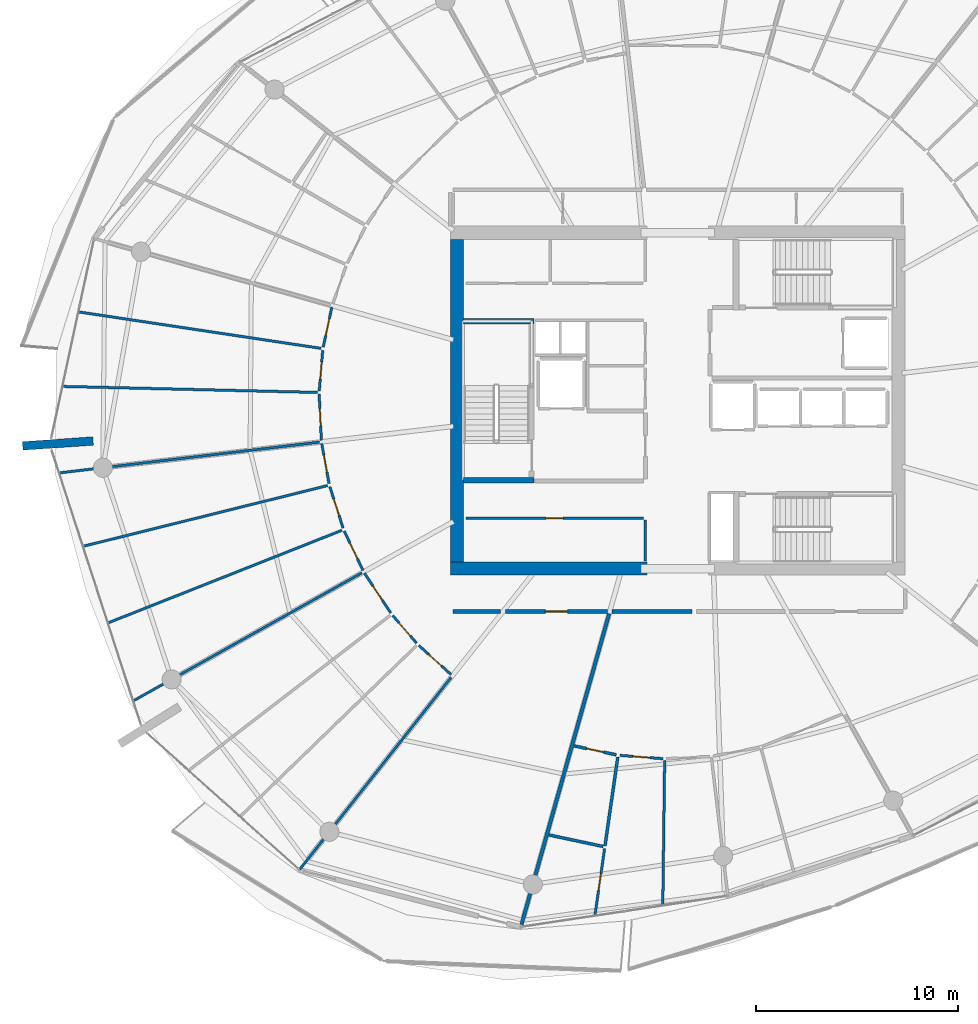
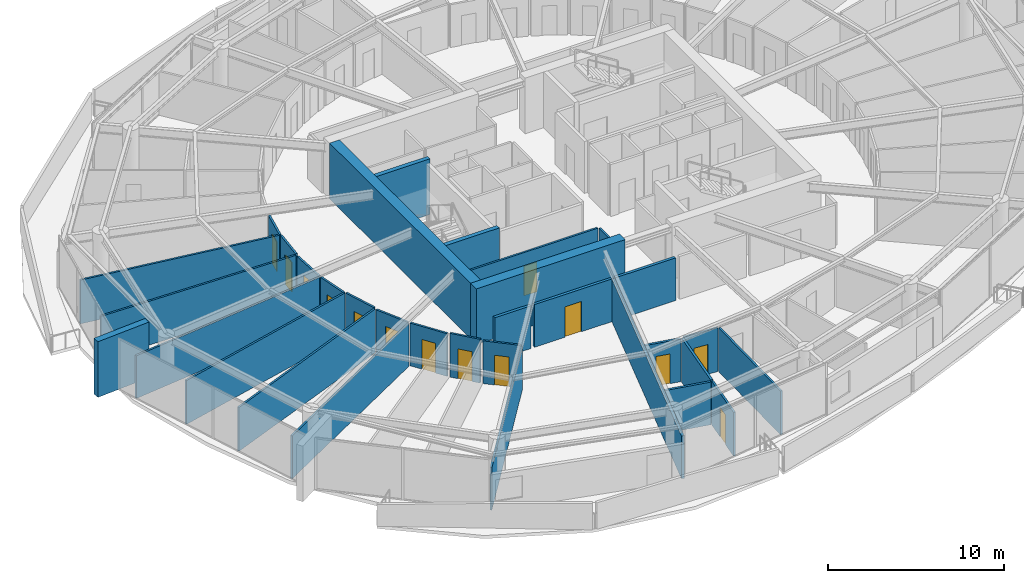
# One storey, part 19 of 31: 33 walls, 14 doors, 14 openings.
"""IFC4 building model written with IfcOpenShell, lengths in metres."""

from ifc_helpers import new_model, si_unit, direction, frame, frame_2d, origin, place, context, subcontext, project, spatial, rectangle, extrude, material, layer, layer_set, type_object, element, fill, save


model = new_model("IFC4")

# Units and contexts
model_context = context("Model", 3, precision=1e-05, world=origin(), true_north=direction((0.0, 1.0)))
body_context = subcontext(model_context, "Body", "Model", "MODEL_VIEW")
ifc_project = project(units=[si_unit("LENGTHUNIT", "METRE"), si_unit("AREAUNIT", "SQUARE_METRE"), si_unit("VOLUMEUNIT", "CUBIC_METRE"), si_unit("PLANEANGLEUNIT", "RADIAN"), si_unit("MASSUNIT", "GRAM", prefix="KILO")], contexts=[model_context])

# Site, building, storey
site_placement = place(None, origin())
site = spatial("IfcSite", under=ifc_project, at=site_placement, CompositionType="ELEMENT")
building_placement = place(site_placement, origin())
building = spatial("IfcBuilding", under=site, at=building_placement, Name="Kazma Halo Residences", CompositionType="ELEMENT")
storey_placement = place(building_placement, frame((0.0, 0.0, 271.35009765625)))
storey = spatial("IfcBuildingStorey", under=building, at=storey_placement, Name="L68", CompositionType="ELEMENT", Elevation=271.35009765625)

# Walls
ifc_material_1 = material(Name="Pale Concrete C60/75", Category="concrete")
ifc_layer_1 = layer(ifc_material_1, 0.419921875)
ifc_layer_set_1 = layer_set([ifc_layer_1], Name="Pale Concrete C60/75")
wall_type_1 = type_object("IfcWallType", Name="WL-BLADE-420", PredefinedType="SOLIDWALL", material=ifc_layer_set_1)
wall_1_placement = place(storey_placement, frame((19.4375, 40.002685546875, 0.0), z_axis=(0.0, 0.0, 1.0), x_axis=(-0.997563824095, -0.069759707979, 0.0)))
element("IfcWall", 1, at=wall_1_placement, inside=storey, type_object=wall_type_1, Name="L68 pale concrete structural blade fin wall BW-02", PredefinedType="SOLIDWALL", context=body_context, shape_type="SweptSolid", body=[
    extrude(rectangle(XDim=3.499755859375, YDim=0.419921875, at=frame_2d((1.75, 0.0))), origin(), (0.0, 0.0, 1.0), 3.849853515625),
])
ifc_material_2 = material(Name="Concrete C60/75", Category="concrete")
ifc_layer_2 = layer(ifc_material_2, 0.64990234375)
ifc_layer_set_2 = layer_set([ifc_layer_2], Name="Concrete C60/75")
wall_type_2 = type_object("IfcWallType", Name="WL-CORE-650", PredefinedType="SHEAR", material=ifc_layer_set_2)
wall_2_placement = place(storey_placement, frame((37.14990234375, 33.675048828125, 0.0), z_axis=(0.0, 0.0, 1.0), x_axis=(1.0, 0.0, 0.0)))
element("IfcWall", 2, at=wall_2_placement, inside=storey, type_object=wall_type_2, Name="L68 central core shear wall SW", PredefinedType="SHEAR", context=body_context, shape_type="SweptSolid", body=[
    extrude(rectangle(XDim=9.75, YDim=0.64990234375, at=frame_2d((4.875, 0.0))), origin(), (0.0, 0.0, 1.0), 3.849853515625),
])
wall_3_placement = place(storey_placement, frame((37.47509765625, 34.0, 0.0), z_axis=(0.0, 0.0, 1.0), x_axis=(0.0, 1.0, 0.0)))
element("IfcWall", 3, at=wall_3_placement, inside=storey, type_object=wall_type_2, Name="L68 central core shear wall W", PredefinedType="SHEAR", context=body_context, shape_type="SweptSolid", body=[
    extrude(rectangle(XDim=16.0, YDim=0.64990234375, at=frame_2d((8.0, 0.0))), origin(), (0.0, 0.0, 1.0), 3.849853515625),
])
ifc_layer_3 = layer(ifc_material_2, 0.280029296875)
ifc_layer_set_3 = layer_set([ifc_layer_3], Name="Concrete C60/75")
wall_type_3 = type_object("IfcWallType", Name="WL-CORE-ST-280", PredefinedType="SHEAR", material=ifc_layer_set_3)
for number, where, z_axis, x_axis, name in (
    (4, (37.800048828125, 38.06005859375, 0.0), (0.0, 0.0, 1.0), (1.0, 0.0, 0.0), "L68 stairwell bearing wall ST01-S"),
    (5, (37.800048828125, 45.93994140625, 0.0), (0.0, 0.0, 1.0), (1.0, 0.0, 0.0), "L68 stairwell bearing wall ST01-N"),
):
    element("IfcWall", number, at=place(storey_placement, frame(where, z_axis=z_axis, x_axis=x_axis)), inside=storey, type_object=wall_type_3, Name=name, PredefinedType="SHEAR", context=body_context, shape_type="SweptSolid", body=[
        extrude(rectangle(XDim=3.5, YDim=0.280029296875, at=frame_2d((1.75, 0.0))), origin(), (0.0, 0.0, 1.0), 3.849853515625),
    ])
ifc_material_3 = material(Name="Acoustic Twin-Stud Gypsum")
ifc_layer_4 = layer(ifc_material_3, 0.179931640625)
ifc_layer_set_4 = layer_set([ifc_layer_4], Name="Acoustic Twin-Stud Gypsum")
wall_type_4 = type_object("IfcWallType", Name="WL-DEM-180", PredefinedType="PARTITIONING", material=ifc_layer_set_4)
wall_4_placement = place(storey_placement, frame((45.02294921875, 31.444091796875, 0.0), z_axis=(0.0, 0.0, 1.0), x_axis=(-0.271442063103, -0.962454781472, 0.0)))
element("IfcWall", 6, at=wall_4_placement, inside=storey, type_object=wall_type_4, Name="L68 apartment demising radial wall 10", PredefinedType="PARTITIONING", context=body_context, shape_type="SweptSolid", body=[
    extrude(rectangle(XDim=16.016845703125, YDim=0.179931640625, at=frame_2d((8.00830078125, 0.0))), origin(), (0.0, 0.0, 1.0), 2.956787109375),
])

# Wall, opening, door
wall_5_placement = place(storey_placement, frame((39.8818359375, 31.550048828125, 0.0), z_axis=(0.0, 0.0, 1.0), x_axis=(1.0, 0.0, 0.0)))
wall_5 = element("IfcWall", 7, at=wall_5_placement, inside=storey, type_object=wall_type_4, Name="L68 Apartment 1 entrance corridor wall", PredefinedType="PARTITIONING", context=body_context, shape_type="SweptSolid", body=[
    extrude(rectangle(XDim=5.051025390625, YDim=0.179931640625, at=frame_2d((2.525390625, 0.0))), origin(), (0.0, 0.0, 1.0), 2.956787109375),
])
opening_1_placement = place(wall_5_placement, frame((1.975341796875, 0.0, 0.0)))
opening_1 = element("IfcOpeningElement", 8, at=opening_1_placement, cuts=wall_5, Name="Opening DA-1100", PredefinedType="OPENING", context=body_context, shape_type="SweptSolid", body=[
    extrude(rectangle(XDim=1.10009765625, YDim=2.10009765625, at=frame_2d((0.550048828125, 1.050048828125))), frame((0.0, 0.099853515625, 0.0), z_axis=(0.0, -1.0, 0.0), x_axis=(1.0, 0.0, 0.0)), (0.0, 0.0, 1.0), 0.199951171875),
])
ifc_material_4 = material(Name="Acoustic Walnut Fire Leaf")
door_type_1 = type_object("IfcDoorType", Name="DR-FD60-1100", OperationType="NOTDEFINED", PredefinedType="DOOR", material=ifc_material_4)
door_1_placement = place(opening_1_placement, origin())
door_1 = element("IfcDoor", 9, at=door_1_placement, inside=storey, type_object=door_type_1, Name="L68 Apartment 1 entrance fire door", OperationType="SINGLE_SWING_RIGHT", OverallHeight=2.10009765625, OverallWidth=1.10009765625, PredefinedType="DOOR", context=body_context, shape_type="SweptSolid", body=[
    extrude(rectangle(XDim=1.10009765625, YDim=2.10009765625, at=frame_2d((0.550048828125, 1.050048828125))), frame((0.0, 0.02490234375, 0.0), z_axis=(0.0, -1.0, 0.0), x_axis=(1.0, 0.0, 0.0)), (0.0, 0.0, 1.0), 0.050048828125),
])
fill(opening_1, door_1)

# Walls
wall_6_placement = place(storey_placement, frame((37.27001953125, 31.550048828125, 0.0), z_axis=(0.0, 0.0, 1.0), x_axis=(1.0, 0.0, 0.0)))
element("IfcWall", 10, at=wall_6_placement, inside=storey, type_object=wall_type_4, Name="L68 Apartment 1 inner wall 8", PredefinedType="PARTITIONING", context=body_context, shape_type="SweptSolid", body=[
    extrude(rectangle(XDim=2.371826171875, YDim=0.179931640625, at=frame_2d((1.18603515625, 0.0))), origin(), (0.0, 0.0, 1.0), 2.956787109375),
])
wall_7_placement = place(storey_placement, frame((45.1728515625, 31.550048828125, 0.0), z_axis=(0.0, 0.0, 1.0), x_axis=(1.0, 0.0, 0.0)))
element("IfcWall", 11, at=wall_7_placement, inside=storey, type_object=wall_type_4, Name="L68 Apartment 2 inner wall 10", PredefinedType="PARTITIONING", context=body_context, shape_type="SweptSolid", body=[
    extrude(rectangle(XDim=3.94384765625, YDim=0.179931640625, at=frame_2d((1.971923828125, 0.0))), origin(), (0.0, 0.0, 1.0), 2.956787109375),
])
ifc_material_5 = material(Name="Gypsum Plasterboard Partition")
ifc_layer_5 = layer(ifc_material_5, 0.125)
ifc_layer_set_5 = layer_set([ifc_layer_5], Name="Gypsum Plasterboard Partition")
wall_type_5 = type_object("IfcWallType", Name="WL-PART-125", PredefinedType="PARTITIONING", material=ifc_layer_set_5)
wall_8_placement = place(storey_placement, frame((46.820068359375, 34.050048828125, 0.0), z_axis=(0.0, 0.0, 1.0), x_axis=(0.0, 1.0, 0.0)))
element("IfcWall", 12, at=wall_8_placement, inside=storey, type_object=wall_type_5, Name="L68 reclaimed south east wall", PredefinedType="PARTITIONING", context=body_context, shape_type="SweptSolid", body=[
    extrude(rectangle(XDim=2.030029296875, YDim=0.125, at=frame_2d((1.01513671875, 0.0))), origin(), (0.0, 0.0, 1.0), 3.02978515625),
])

# Wall, opening, door
wall_9_placement = place(storey_placement, frame((37.919921875, 36.179931640625, 0.0), z_axis=(0.0, 0.0, 1.0), x_axis=(1.0, 0.0, 0.0)))
wall_9 = element("IfcWall", 13, at=wall_9_placement, inside=storey, type_object=wall_type_5, Name="L68 reclaimed south front wall", PredefinedType="PARTITIONING", context=body_context, shape_type="SweptSolid", body=[
    extrude(rectangle(XDim=8.800048828125, YDim=0.125, at=frame_2d((4.39990234375, 0.0))), origin(), (0.0, 0.0, 1.0), 3.02978515625),
])
opening_2_placement = place(wall_9_placement, frame((3.97509765625, 0.0, 0.0)))
opening_2 = element("IfcOpeningElement", 14, at=opening_2_placement, cuts=wall_9, Name="Opening DS-850", PredefinedType="OPENING", context=body_context, shape_type="SweptSolid", body=[
    extrude(rectangle(XDim=0.85009765625, YDim=2.06005859375, at=frame_2d((0.425048828125, 1.030029296875))), frame((0.0, 0.072509765625, 0.0), z_axis=(0.0, -1.0, 0.0), x_axis=(1.0, 0.0, 0.0)), (0.0, 0.0, 1.0), 0.14501953125),
])
ifc_material_6 = material(Name="Painted Steel Access Leaf", Category="steel")
door_type_2 = type_object("IfcDoorType", Name="DR-SVC-850", OperationType="NOTDEFINED", PredefinedType="DOOR", material=ifc_material_6)
door_2_placement = place(opening_2_placement, origin())
door_2 = element("IfcDoor", 15, at=door_2_placement, inside=storey, type_object=door_type_2, Name="L68 reclaimed south service door", OperationType="SINGLE_SWING_LEFT", OverallHeight=2.06005859375, OverallWidth=0.85009765625, PredefinedType="DOOR", context=body_context, shape_type="SweptSolid", body=[
    extrude(rectangle(XDim=0.85009765625, YDim=2.06005859375, at=frame_2d((0.425048828125, 1.030029296875))), frame((0.0, 0.02490234375, 0.0), z_axis=(0.0, -1.0, 0.0), x_axis=(1.0, 0.0, 0.0)), (0.0, 0.0, 1.0), 0.050048828125),
])
fill(opening_2, door_2)

# Walls
wall_10_placement = place(storey_placement, frame((30.739990234375, 44.594970703125, 0.0), z_axis=(0.0, 0.0, 1.0), x_axis=(-0.988886285118, 0.148673854813, 0.0)))
element("IfcWall", 16, at=wall_10_placement, inside=storey, type_object=wall_type_5, Name="L68 Apartment 1 bay wall 1 6", PredefinedType="PARTITIONING", context=body_context, shape_type="SweptSolid", body=[
    extrude(rectangle(XDim=12.138671875, YDim=0.125, at=frame_2d((6.0693359375, 0.0))), origin(), (0.0, 0.0, 1.0), 3.02978515625),
])
wall_11_placement = place(storey_placement, frame((30.55078125, 42.4111328125, 0.0), z_axis=(0.0, 0.0, 1.0), x_axis=(-0.999722360085, 0.023562740626, 0.0)))
element("IfcWall", 17, at=wall_11_placement, inside=storey, type_object=wall_type_5, Name="L68 Apartment 1 bay wall 2 6", PredefinedType="PARTITIONING", context=body_context, shape_type="SweptSolid", body=[
    extrude(rectangle(XDim=12.609619140625, YDim=0.125, at=frame_2d((6.3046875, 0.0))), origin(), (0.0, 0.0, 1.0), 3.02978515625),
])

# Wall, opening, door
wall_12_placement = place(storey_placement, frame((31.27099609375, 46.635009765625, 0.0), z_axis=(0.0, 0.0, 1.0), x_axis=(-0.210477911791, -0.97759861326, 0.0)))
wall_12 = element("IfcWall", 18, at=wall_12_placement, inside=storey, type_object=wall_type_5, Name="L68 Apartment 1 Inner Bedroom hall wall", PredefinedType="PARTITIONING", context=body_context, shape_type="SweptSolid", body=[
    extrude(rectangle(XDim=2.0205078125, YDim=0.125, at=frame_2d((1.01025390625, 0.0))), origin(), (0.0, 0.0, 1.0), 2.956787109375),
])
opening_3_placement = place(wall_12_placement, frame((0.585205078125, 0.0, 0.0)))
opening_3 = element("IfcOpeningElement", 19, at=opening_3_placement, cuts=wall_12, Name="Opening DB-900", PredefinedType="OPENING", context=body_context, shape_type="SweptSolid", body=[
    extrude(rectangle(XDim=0.85009765625, YDim=2.06005859375, at=frame_2d((0.425048828125, 1.030029296875))), frame((0.0, 0.072509765625, 0.0), z_axis=(0.0, -1.0, 0.0), x_axis=(1.0, 0.0, 0.0)), (0.0, 0.0, 1.0), 0.14501953125),
])
ifc_material_7 = material(Name="Moisture-Sealed Timber Leaf", Category="wood")
door_type_3 = type_object("IfcDoorType", Name="DR-BTH-900", OperationType="NOTDEFINED", PredefinedType="DOOR", material=ifc_material_7)
door_3_placement = place(opening_3_placement, origin())
door_3 = element("IfcDoor", 20, at=door_3_placement, inside=storey, type_object=door_type_3, Name="L68 Apartment 1 Inner Bedroom door", OperationType="SINGLE_SWING_RIGHT", OverallHeight=2.06005859375, OverallWidth=0.85009765625, PredefinedType="DOOR", context=body_context, shape_type="SweptSolid", body=[
    extrude(rectangle(XDim=0.85009765625, YDim=2.06005859375, at=frame_2d((0.425048828125, 1.030029296875))), frame((0.0, 0.02490234375, 0.0), z_axis=(0.0, -1.0, 0.0), x_axis=(1.0, 0.0, 0.0)), (0.0, 0.0, 1.0), 0.050048828125),
])
fill(opening_3, door_3)

wall_13_placement = place(storey_placement, frame((30.822021484375, 44.501708984375, 0.0), z_axis=(0.0, 0.0, 1.0), x_axis=(-0.086275045339, -0.996271356886, 0.0)))
wall_13 = element("IfcWall", 21, at=wall_13_placement, inside=storey, type_object=wall_type_5, Name="L68 Apartment 1 Outer Dressing Wardrobe hall wall", PredefinedType="PARTITIONING", context=body_context, shape_type="SweptSolid", body=[
    extrude(rectangle(XDim=2.0205078125, YDim=0.125, at=frame_2d((1.01025390625, 0.0))), origin(), (0.0, 0.0, 1.0), 3.02978515625),
])
opening_4_placement = place(wall_13_placement, frame((0.585205078125, 0.0, 0.0)))
opening_4 = element("IfcOpeningElement", 22, at=opening_4_placement, cuts=wall_13, Name="Opening DB-900", PredefinedType="OPENING", context=body_context, shape_type="SweptSolid", body=[
    extrude(rectangle(XDim=0.85009765625, YDim=2.06005859375, at=frame_2d((0.425048828125, 1.030029296875))), frame((0.0, 0.072509765625, 0.0), z_axis=(0.0, -1.0, 0.0), x_axis=(1.0, 0.0, 0.0)), (0.0, 0.0, 1.0), 0.14501953125),
])
door_4_placement = place(opening_4_placement, origin())
door_4 = element("IfcDoor", 23, at=door_4_placement, inside=storey, type_object=door_type_3, Name="L68 Apartment 1 Outer Dressing Wardrobe door", OperationType="SINGLE_SWING_LEFT", OverallHeight=2.06005859375, OverallWidth=0.85009765625, PredefinedType="DOOR", context=body_context, shape_type="SweptSolid", body=[
    extrude(rectangle(XDim=0.85009765625, YDim=2.06005859375, at=frame_2d((0.425048828125, 1.030029296875))), frame((0.0, 0.02490234375, 0.0), z_axis=(0.0, -1.0, 0.0), x_axis=(1.0, 0.0, 0.0)), (0.0, 0.0, 1.0), 0.050048828125),
])
fill(opening_4, door_4)

wall_14_placement = place(storey_placement, frame((30.64453125, 42.3291015625, 0.0), z_axis=(0.0, 0.0, 1.0), x_axis=(0.047175561804, -0.998886613369, 0.0)))
wall_14 = element("IfcWall", 24, at=wall_14_placement, inside=storey, type_object=wall_type_5, Name="L68 Apartment 1 Corner Master Bedroom hall wall", PredefinedType="PARTITIONING", context=body_context, shape_type="SweptSolid", body=[
    extrude(rectangle(XDim=2.29248046875, YDim=0.125, at=frame_2d((1.146240234375, 0.0))), origin(), (0.0, 0.0, 1.0), 2.956787109375),
])
opening_5_placement = place(wall_14_placement, frame((0.721435546875, 0.0, 0.0)))
opening_5 = element("IfcOpeningElement", 25, at=opening_5_placement, cuts=wall_14, Name="Opening DB-900", PredefinedType="OPENING", context=body_context, shape_type="SweptSolid", body=[
    extrude(rectangle(XDim=0.85009765625, YDim=2.06005859375, at=frame_2d((0.425048828125, 1.030029296875))), frame((0.0, 0.072509765625, 0.0), z_axis=(0.0, -1.0, 0.0), x_axis=(1.0, 0.0, 0.0)), (0.0, 0.0, 1.0), 0.14501953125),
])
door_5_placement = place(opening_5_placement, origin())
door_5 = element("IfcDoor", 26, at=door_5_placement, inside=storey, type_object=door_type_3, Name="L68 Apartment 1 Corner Master Bedroom door", OperationType="SINGLE_SWING_RIGHT", OverallHeight=2.06005859375, OverallWidth=0.85009765625, PredefinedType="DOOR", context=body_context, shape_type="SweptSolid", body=[
    extrude(rectangle(XDim=0.85009765625, YDim=2.06005859375, at=frame_2d((0.425048828125, 1.030029296875))), frame((0.0, 0.02490234375, 0.0), z_axis=(0.0, -1.0, 0.0), x_axis=(1.0, 0.0, 0.0)), (0.0, 0.0, 1.0), 0.050048828125),
])
fill(opening_5, door_5)

# Walls
wall_15_placement = place(storey_placement, frame((30.656982421875, 39.947265625, 0.0), z_axis=(0.0, 0.0, 1.0), x_axis=(-0.99306861519, -0.117536060525, 0.0)))
element("IfcWall", 27, at=wall_15_placement, inside=storey, type_object=wall_type_5, Name="L68 Apartment 1 radial partition 7", PredefinedType="PARTITIONING", context=body_context, shape_type="SweptSolid", body=[
    extrude(rectangle(XDim=12.965576171875, YDim=0.125, at=frame_2d((6.48291015625, 0.0))), origin(), (0.0, 0.0, 1.0), 2.956787109375),
])
wall_16_placement = place(storey_placement, frame((31.060791015625, 37.792236328125, 0.0), z_axis=(0.0, 0.0, 1.0), x_axis=(-0.970505468857, -0.241079105105, 0.0)))
element("IfcWall", 28, at=wall_16_placement, inside=storey, type_object=wall_type_5, Name="L68 Apartment 1 bay wall 1 7", PredefinedType="PARTITIONING", context=body_context, shape_type="SweptSolid", body=[
    extrude(rectangle(XDim=12.46533203125, YDim=0.125, at=frame_2d((6.232666015625, 0.0))), origin(), (0.0, 0.0, 1.0), 3.02978515625),
])
wall_17_placement = place(storey_placement, frame((31.771728515625, 35.57470703125, 0.0), z_axis=(0.0, 0.0, 1.0), x_axis=(-0.929777389871, -0.368122269476, 0.0)))
element("IfcWall", 29, at=wall_17_placement, inside=storey, type_object=wall_type_5, Name="L68 Apartment 1 bay wall 2 7", PredefinedType="PARTITIONING", context=body_context, shape_type="SweptSolid", body=[
    extrude(rectangle(XDim=12.44970703125, YDim=0.125, at=frame_2d((6.224853515625, 0.0))), origin(), (0.0, 0.0, 1.0), 3.02978515625),
])

# Wall, opening, door
wall_18_placement = place(storey_placement, frame((30.770751953125, 39.88037109375, 0.0), z_axis=(0.0, 0.0, 1.0), x_axis=(0.17966153972, -0.983728484464, 0.0)))
wall_18 = element("IfcWall", 30, at=wall_18_placement, inside=storey, type_object=wall_type_5, Name="L68 Apartment 1 Garden Master Bedroom hall wall", PredefinedType="PARTITIONING", context=body_context, shape_type="SweptSolid", body=[
    extrude(rectangle(XDim=2.020751953125, YDim=0.125, at=frame_2d((1.01025390625, 0.0))), origin(), (0.0, 0.0, 1.0), 2.956787109375),
])
opening_6_placement = place(wall_18_placement, frame((0.585205078125, 0.0, 0.0)))
opening_6 = element("IfcOpeningElement", 31, at=opening_6_placement, cuts=wall_18, Name="Opening DB-900", PredefinedType="OPENING", context=body_context, shape_type="SweptSolid", body=[
    extrude(rectangle(XDim=0.85009765625, YDim=2.06005859375, at=frame_2d((0.425048828125, 1.030029296875))), frame((0.0, 0.072509765625, 0.0), z_axis=(0.0, -1.0, 0.0), x_axis=(1.0, 0.0, 0.0)), (0.0, 0.0, 1.0), 0.14501953125),
])
door_6_placement = place(opening_6_placement, origin())
door_6 = element("IfcDoor", 32, at=door_6_placement, inside=storey, type_object=door_type_3, Name="L68 Apartment 1 Garden Master Bedroom door", OperationType="SINGLE_SWING_LEFT", OverallHeight=2.06005859375, OverallWidth=0.85009765625, PredefinedType="DOOR", context=body_context, shape_type="SweptSolid", body=[
    extrude(rectangle(XDim=0.85009765625, YDim=2.06005859375, at=frame_2d((0.425048828125, 1.030029296875))), frame((0.0, 0.02490234375, 0.0), z_axis=(0.0, -1.0, 0.0), x_axis=(1.0, 0.0, 0.0)), (0.0, 0.0, 1.0), 0.050048828125),
])
fill(opening_6, door_6)

wall_19_placement = place(storey_placement, frame((31.172607421875, 37.73779296875, 0.0), z_axis=(0.0, 0.0, 1.0), x_axis=(0.305305543728, -0.952254443397, 0.0)))
wall_19 = element("IfcWall", 33, at=wall_19_placement, inside=storey, type_object=wall_type_5, Name="L68 Apartment 1 Sky Dressing Wardrobe hall wall", PredefinedType="PARTITIONING", context=body_context, shape_type="SweptSolid", body=[
    extrude(rectangle(XDim=2.15673828125, YDim=0.125, at=frame_2d((1.078369140625, 0.0))), origin(), (0.0, 0.0, 1.0), 3.02978515625),
])
opening_7_placement = place(wall_19_placement, frame((0.6533203125, 0.0, 0.0)))
opening_7 = element("IfcOpeningElement", 34, at=opening_7_placement, cuts=wall_19, Name="Opening DB-900", PredefinedType="OPENING", context=body_context, shape_type="SweptSolid", body=[
    extrude(rectangle(XDim=0.85009765625, YDim=2.06005859375, at=frame_2d((0.425048828125, 1.030029296875))), frame((0.0, 0.072509765625, 0.0), z_axis=(0.0, -1.0, 0.0), x_axis=(1.0, 0.0, 0.0)), (0.0, 0.0, 1.0), 0.14501953125),
])
door_7_placement = place(opening_7_placement, origin())
door_7 = element("IfcDoor", 35, at=door_7_placement, inside=storey, type_object=door_type_3, Name="L68 Apartment 1 Sky Dressing Wardrobe door", OperationType="SINGLE_SWING_RIGHT", OverallHeight=2.06005859375, OverallWidth=0.85009765625, PredefinedType="DOOR", context=body_context, shape_type="SweptSolid", body=[
    extrude(rectangle(XDim=0.85009765625, YDim=2.06005859375, at=frame_2d((0.425048828125, 1.030029296875))), frame((0.0, 0.02490234375, 0.0), z_axis=(0.0, -1.0, 0.0), x_axis=(1.0, 0.0, 0.0)), (0.0, 0.0, 1.0), 0.050048828125),
])
fill(opening_7, door_7)

wall_20_placement = place(storey_placement, frame((31.8896484375, 35.53564453125, 0.0), z_axis=(0.0, 0.0, 1.0), x_axis=(0.429375439277, -0.90312608873, 0.0)))
wall_20 = element("IfcWall", 36, at=wall_20_placement, inside=storey, type_object=wall_type_5, Name="L68 Apartment 1 Gulf Master Bedroom hall wall", PredefinedType="PARTITIONING", context=body_context, shape_type="SweptSolid", body=[
    extrude(rectangle(XDim=2.15673828125, YDim=0.125, at=frame_2d((1.078369140625, 0.0))), origin(), (0.0, 0.0, 1.0), 2.956787109375),
])
opening_8_placement = place(wall_20_placement, frame((0.6533203125, 0.0, 0.0)))
opening_8 = element("IfcOpeningElement", 37, at=opening_8_placement, cuts=wall_20, Name="Opening DB-900", PredefinedType="OPENING", context=body_context, shape_type="SweptSolid", body=[
    extrude(rectangle(XDim=0.85009765625, YDim=2.06005859375, at=frame_2d((0.425048828125, 1.030029296875))), frame((0.0, 0.072509765625, 0.0), z_axis=(0.0, -1.0, 0.0), x_axis=(1.0, 0.0, 0.0)), (0.0, 0.0, 1.0), 0.14501953125),
])
door_8_placement = place(opening_8_placement, origin())
door_8 = element("IfcDoor", 38, at=door_8_placement, inside=storey, type_object=door_type_3, Name="L68 Apartment 1 Gulf Master Bedroom door", OperationType="SINGLE_SWING_LEFT", OverallHeight=2.06005859375, OverallWidth=0.85009765625, PredefinedType="DOOR", context=body_context, shape_type="SweptSolid", body=[
    extrude(rectangle(XDim=0.85009765625, YDim=2.06005859375, at=frame_2d((0.425048828125, 1.030029296875))), frame((0.0, 0.02490234375, 0.0), z_axis=(0.0, -1.0, 0.0), x_axis=(1.0, 0.0, 0.0)), (0.0, 0.0, 1.0), 0.050048828125),
])
fill(opening_8, door_8)

# Walls
wall_21_placement = place(storey_placement, frame((32.7626953125, 33.466796875, 0.0), z_axis=(0.0, 0.0, 1.0), x_axis=(-0.872491245389, -0.488629743997, 0.0)))
element("IfcWall", 39, at=wall_21_placement, inside=storey, type_object=wall_type_5, Name="L68 Apartment 1 radial partition 8", PredefinedType="PARTITIONING", context=body_context, shape_type="SweptSolid", body=[
    extrude(rectangle(XDim=12.9658203125, YDim=0.125, at=frame_2d((6.48291015625, 0.0))), origin(), (0.0, 0.0, 1.0), 2.956787109375),
])
wall_22_placement = place(storey_placement, frame((37.188232421875, 28.285400390625, 0.0), z_axis=(0.0, 0.0, 1.0), x_axis=(-0.619093440174, -0.785317332251, 0.0)))
element("IfcWall", 40, at=wall_22_placement, inside=storey, type_object=wall_type_5, Name="L68 Apartment 1 living radial partition 8", PredefinedType="PARTITIONING", context=body_context, shape_type="SweptSolid", body=[
    extrude(rectangle(XDim=12.1318359375, YDim=0.125, at=frame_2d((6.06591796875, 0.0))), origin(), (0.0, 0.0, 1.0), 2.956787109375),
])

# Wall, opening, door
wall_23_placement = place(storey_placement, frame((32.89404296875, 33.44873046875, 0.0), z_axis=(0.0, 0.0, 1.0), x_axis=(0.550708208441, -0.834697831048, 0.0)))
wall_23 = element("IfcWall", 41, at=wall_23_placement, inside=storey, type_object=wall_type_5, Name="L68 Apartment 1 Primary Master Bedroom hall wall", PredefinedType="PARTITIONING", context=body_context, shape_type="SweptSolid", body=[
    extrude(rectangle(XDim=2.360595703125, YDim=0.125, at=frame_2d((1.18017578125, 0.0))), origin(), (0.0, 0.0, 1.0), 2.956787109375),
])
opening_9_placement = place(wall_23_placement, frame((0.75537109375, 0.0, 0.0)))
opening_9 = element("IfcOpeningElement", 42, at=opening_9_placement, cuts=wall_23, Name="Opening DB-900", PredefinedType="OPENING", context=body_context, shape_type="SweptSolid", body=[
    extrude(rectangle(XDim=0.85009765625, YDim=2.06005859375, at=frame_2d((0.425048828125, 1.030029296875))), frame((0.0, 0.072509765625, 0.0), z_axis=(0.0, -1.0, 0.0), x_axis=(1.0, 0.0, 0.0)), (0.0, 0.0, 1.0), 0.14501953125),
])
door_9_placement = place(opening_9_placement, origin())
door_9 = element("IfcDoor", 43, at=door_9_placement, inside=storey, type_object=door_type_3, Name="L68 Apartment 1 Primary Master Bedroom door", OperationType="SINGLE_SWING_RIGHT", OverallHeight=2.06005859375, OverallWidth=0.85009765625, PredefinedType="DOOR", context=body_context, shape_type="SweptSolid", body=[
    extrude(rectangle(XDim=0.85009765625, YDim=2.06005859375, at=frame_2d((0.425048828125, 1.030029296875))), frame((0.0, 0.02490234375, 0.0), z_axis=(0.0, -1.0, 0.0), x_axis=(1.0, 0.0, 0.0)), (0.0, 0.0, 1.0), 0.050048828125),
])
fill(opening_9, door_9)

wall_24_placement = place(storey_placement, frame((34.290283203125, 31.350830078125, 0.0), z_axis=(0.0, 0.0, 1.0), x_axis=(0.654039701977, -0.756460222509, 0.0)))
wall_24 = element("IfcWall", 44, at=wall_24_placement, inside=storey, type_object=wall_type_5, Name="L68 Apartment 1 Secondary Study hall wall", PredefinedType="PARTITIONING", context=body_context, shape_type="SweptSolid", body=[
    extrude(rectangle(XDim=1.81640625, YDim=0.125, at=frame_2d((0.908203125, 0.0))), origin(), (0.0, 0.0, 1.0), 3.02978515625),
])
opening_10_placement = place(wall_24_placement, frame((0.483154296875, 0.0, 0.0)))
opening_10 = element("IfcOpeningElement", 45, at=opening_10_placement, cuts=wall_24, Name="Opening DB-900", PredefinedType="OPENING", context=body_context, shape_type="SweptSolid", body=[
    extrude(rectangle(XDim=0.85009765625, YDim=2.06005859375, at=frame_2d((0.425048828125, 1.030029296875))), frame((0.0, 0.072509765625, 0.0), z_axis=(0.0, -1.0, 0.0), x_axis=(1.0, 0.0, 0.0)), (0.0, 0.0, 1.0), 0.14501953125),
])
door_10_placement = place(opening_10_placement, origin())
door_10 = element("IfcDoor", 46, at=door_10_placement, inside=storey, type_object=door_type_3, Name="L68 Apartment 1 Secondary Study door", OperationType="SINGLE_SWING_LEFT", OverallHeight=2.06005859375, OverallWidth=0.85009765625, PredefinedType="DOOR", context=body_context, shape_type="SweptSolid", body=[
    extrude(rectangle(XDim=0.85009765625, YDim=2.06005859375, at=frame_2d((0.425048828125, 1.030029296875))), frame((0.0, 0.02490234375, 0.0), z_axis=(0.0, -1.0, 0.0), x_axis=(1.0, 0.0, 0.0)), (0.0, 0.0, 1.0), 0.050048828125),
])
fill(opening_10, door_10)

wall_25_placement = place(storey_placement, frame((35.58984375, 29.862548828125, 0.0), z_axis=(0.0, 0.0, 1.0), x_axis=(0.74229697692, -0.670071039559, 0.0)))
wall_25 = element("IfcWall", 47, at=wall_25_placement, inside=storey, type_object=wall_type_5, Name="L68 Apartment 1 East Master Bedroom hall wall", PredefinedType="PARTITIONING", context=body_context, shape_type="SweptSolid", body=[
    extrude(rectangle(XDim=2.156494140625, YDim=0.125, at=frame_2d((1.078125, 0.0))), origin(), (0.0, 0.0, 1.0), 2.956787109375),
])
opening_11_placement = place(wall_25_placement, frame((0.6533203125, 0.0, 0.0)))
opening_11 = element("IfcOpeningElement", 48, at=opening_11_placement, cuts=wall_25, Name="Opening DB-900", PredefinedType="OPENING", context=body_context, shape_type="SweptSolid", body=[
    extrude(rectangle(XDim=0.85009765625, YDim=2.06005859375, at=frame_2d((0.425048828125, 1.030029296875))), frame((0.0, 0.072509765625, 0.0), z_axis=(0.0, -1.0, 0.0), x_axis=(1.0, 0.0, 0.0)), (0.0, 0.0, 1.0), 0.14501953125),
])
door_11_placement = place(opening_11_placement, origin())
door_11 = element("IfcDoor", 49, at=door_11_placement, inside=storey, type_object=door_type_3, Name="L68 Apartment 1 East Master Bedroom door", OperationType="SINGLE_SWING_RIGHT", OverallHeight=2.06005859375, OverallWidth=0.85009765625, PredefinedType="DOOR", context=body_context, shape_type="SweptSolid", body=[
    extrude(rectangle(XDim=0.85009765625, YDim=2.06005859375, at=frame_2d((0.425048828125, 1.030029296875))), frame((0.0, 0.02490234375, 0.0), z_axis=(0.0, -1.0, 0.0), x_axis=(1.0, 0.0, 0.0)), (0.0, 0.0, 1.0), 0.050048828125),
])
fill(opening_11, door_11)

wall_26_placement = place(storey_placement, frame((44.794921875, 19.793212890625, 0.0), z_axis=(0.0, 0.0, 1.0), x_axis=(-0.142812082151, -0.989749821516, 0.0)))
wall_26 = element("IfcWall", 50, at=wall_26_placement, inside=storey, type_object=wall_type_5, Name="L68 Apartment 2 Utility Laundry Room partition wall", PredefinedType="PARTITIONING", context=body_context, shape_type="SweptSolid", body=[
    extrude(rectangle(XDim=3.342041015625, YDim=0.125, at=frame_2d((1.6708984375, 0.0))), origin(), (0.0, 0.0, 1.0), 3.02978515625),
])
opening_12_placement = place(wall_26_placement, frame((1.24609375, 0.0, 0.0)))
opening_12 = element("IfcOpeningElement", 51, at=opening_12_placement, cuts=wall_26, Name="Opening DB-900", PredefinedType="OPENING", context=body_context, shape_type="SweptSolid", body=[
    extrude(rectangle(XDim=0.85009765625, YDim=2.06005859375, at=frame_2d((0.425048828125, 1.030029296875))), frame((0.0, 0.072509765625, 0.0), z_axis=(0.0, -1.0, 0.0), x_axis=(1.0, 0.0, 0.0)), (0.0, 0.0, 1.0), 0.14501953125),
])
door_12_placement = place(opening_12_placement, origin())
door_12 = element("IfcDoor", 52, at=door_12_placement, inside=storey, type_object=door_type_3, Name="L68 Apartment 2 Utility Laundry Room door", OperationType="SINGLE_SWING_RIGHT", OverallHeight=2.06005859375, OverallWidth=0.85009765625, PredefinedType="DOOR", context=body_context, shape_type="SweptSolid", body=[
    extrude(rectangle(XDim=0.85009765625, YDim=2.06005859375, at=frame_2d((0.425048828125, 1.030029296875))), frame((0.0, 0.02490234375, 0.0), z_axis=(0.0, -1.0, 0.0), x_axis=(1.0, 0.0, 0.0)), (0.0, 0.0, 1.0), 0.050048828125),
])
fill(opening_12, door_12)

# Wall
wall_27_placement = place(storey_placement, frame((47.772216796875, 24.154296875, 0.0), z_axis=(0.0, 0.0, 1.0), x_axis=(-0.012746936198, -0.999918754508, 0.0)))
element("IfcWall", 53, at=wall_27_placement, inside=storey, type_object=wall_type_5, Name="L68 Apartment 2 suite divider 10", PredefinedType="PARTITIONING", context=body_context, shape_type="SweptSolid", body=[
    extrude(rectangle(XDim=7.1630859375, YDim=0.125, at=frame_2d((3.58154296875, 0.0))), origin(), (0.0, 0.0, 1.0), 3.02978515625),
])

# Wall, opening, door
wall_28_placement = place(storey_placement, frame((45.55322265625, 24.418212890625, 0.0), z_axis=(0.0, 0.0, 1.0), x_axis=(0.99694376357, -0.078122546546, 0.0)))
wall_28 = element("IfcWall", 54, at=wall_28_placement, inside=storey, type_object=wall_type_5, Name="L68 Apartment 2 Gourmet Kitchen hall wall", PredefinedType="PARTITIONING", context=body_context, shape_type="SweptSolid", body=[
    extrude(rectangle(XDim=2.14697265625, YDim=0.125, at=frame_2d((1.073486328125, 0.0))), origin(), (0.0, 0.0, 1.0), 3.02978515625),
])
opening_13_placement = place(wall_28_placement, frame((0.6484375, 0.0, 0.0)))
opening_13 = element("IfcOpeningElement", 55, at=opening_13_placement, cuts=wall_28, Name="Opening DB-900", PredefinedType="OPENING", context=body_context, shape_type="SweptSolid", body=[
    extrude(rectangle(XDim=0.85009765625, YDim=2.06005859375, at=frame_2d((0.425048828125, 1.030029296875))), frame((0.0, 0.072509765625, 0.0), z_axis=(0.0, -1.0, 0.0), x_axis=(1.0, 0.0, 0.0)), (0.0, 0.0, 1.0), 0.14501953125),
])
door_13_placement = place(opening_13_placement, origin())
door_13 = element("IfcDoor", 56, at=door_13_placement, inside=storey, type_object=door_type_3, Name="L68 Apartment 2 Gourmet Kitchen door", OperationType="SINGLE_SWING_LEFT", OverallHeight=2.06005859375, OverallWidth=0.85009765625, PredefinedType="DOOR", context=body_context, shape_type="SweptSolid", body=[
    extrude(rectangle(XDim=0.85009765625, YDim=2.06005859375, at=frame_2d((0.425048828125, 1.030029296875))), frame((0.0, 0.02490234375, 0.0), z_axis=(0.0, -1.0, 0.0), x_axis=(1.0, 0.0, 0.0)), (0.0, 0.0, 1.0), 0.050048828125),
])
fill(opening_13, door_13)

ifc_material_8 = material(Name="Moisture-Resistant Gypsum")
ifc_layer_6 = layer(ifc_material_8, 0.14990234375)
ifc_layer_set_6 = layer_set([ifc_layer_6], Name="Moisture-Resistant Gypsum")
wall_type_6 = type_object("IfcWallType", Name="WL-WET-150", PredefinedType="PARTITIONING", material=ifc_layer_set_6)
wall_29_placement = place(storey_placement, frame((43.27783203125, 24.888916015625, 0.0), z_axis=(0.0, 0.0, 1.0), x_axis=(0.978223618973, -0.207553731074, 0.0)))
wall_29 = element("IfcWall", 57, at=wall_29_placement, inside=storey, type_object=wall_type_6, Name="L68 Apartment 2 Guest Bathroom hall wall", PredefinedType="PARTITIONING", context=body_context, shape_type="SweptSolid", body=[
    extrude(rectangle(XDim=2.144287109375, YDim=0.14990234375, at=frame_2d((1.072265625, 0.0))), origin(), (0.0, 0.0, 1.0), 2.956787109375),
])
opening_14_placement = place(wall_29_placement, frame((0.647216796875, 0.0, 0.0)))
opening_14 = element("IfcOpeningElement", 58, at=opening_14_placement, cuts=wall_29, Name="Opening DB-900", PredefinedType="OPENING", context=body_context, shape_type="SweptSolid", body=[
    extrude(rectangle(XDim=0.85009765625, YDim=2.06005859375, at=frame_2d((0.425048828125, 1.030029296875))), frame((0.0, 0.0849609375, 0.0), z_axis=(0.0, -1.0, 0.0), x_axis=(1.0, 0.0, 0.0)), (0.0, 0.0, 1.0), 0.169921875),
])
door_14_placement = place(opening_14_placement, origin())
door_14 = element("IfcDoor", 59, at=door_14_placement, inside=storey, type_object=door_type_3, Name="L68 Apartment 2 Guest Bathroom door", OperationType="SINGLE_SWING_LEFT", OverallHeight=2.06005859375, OverallWidth=0.85009765625, PredefinedType="DOOR", context=body_context, shape_type="SweptSolid", body=[
    extrude(rectangle(XDim=0.85009765625, YDim=2.06005859375, at=frame_2d((0.425048828125, 1.030029296875))), frame((0.0, 0.02490234375, 0.0), z_axis=(0.0, -1.0, 0.0), x_axis=(1.0, 0.0, 0.0)), (0.0, 0.0, 1.0), 0.050048828125),
])
fill(opening_14, door_14)

# Walls
wall_30_placement = place(storey_placement, frame((42.031982421875, 20.47119140625, 0.0), z_axis=(0.0, 0.0, 1.0), x_axis=(0.978220458767, -0.207568624914, 0.0)))
element("IfcWall", 60, at=wall_30_placement, inside=storey, type_object=wall_type_6, Name="L68 Apartment 2 Guest Bathroom back wall", PredefinedType="PARTITIONING", context=body_context, shape_type="SweptSolid", body=[
    extrude(rectangle(XDim=2.74755859375, YDim=0.14990234375, at=frame_2d((1.373779296875, 0.0))), origin(), (0.0, 0.0, 1.0), 2.956787109375),
])
wall_31_placement = place(storey_placement, frame((45.45068359375, 24.3359375, 0.0), z_axis=(0.0, 0.0, 1.0), x_axis=(-0.142877347864, -0.989740402059, 0.0)))
element("IfcWall", 61, at=wall_31_placement, inside=storey, type_object=wall_type_6, Name="L68 Apartment 2 Guest Bathroom side wall", PredefinedType="PARTITIONING", context=body_context, shape_type="SweptSolid", body=[
    extrude(rectangle(XDim=4.459716796875, YDim=0.14990234375, at=frame_2d((2.22998046875, 0.0))), origin(), (0.0, 0.0, 1.0), 3.02978515625),
])

save(model, "model.ifc")
